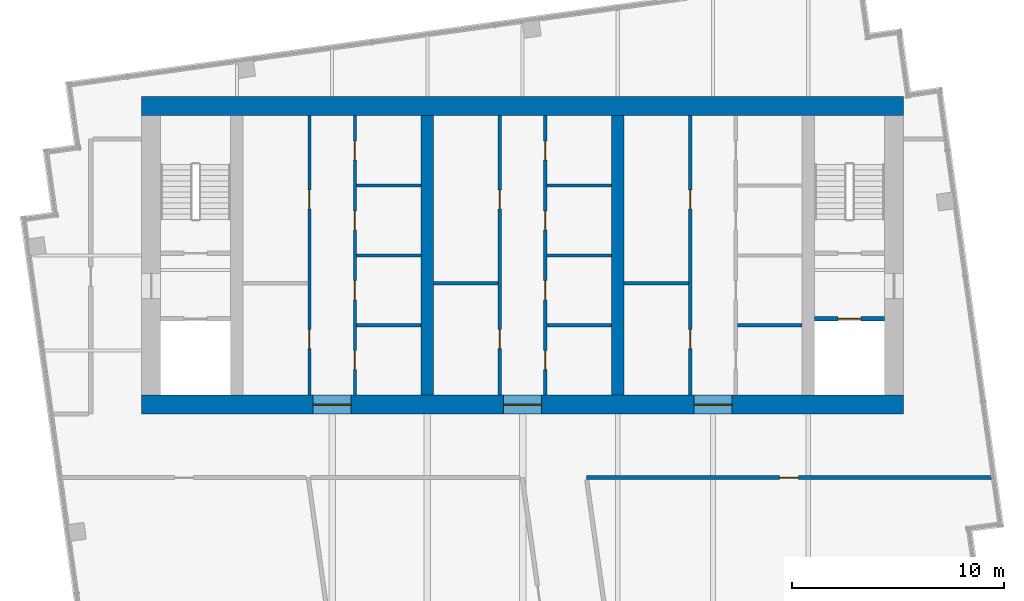
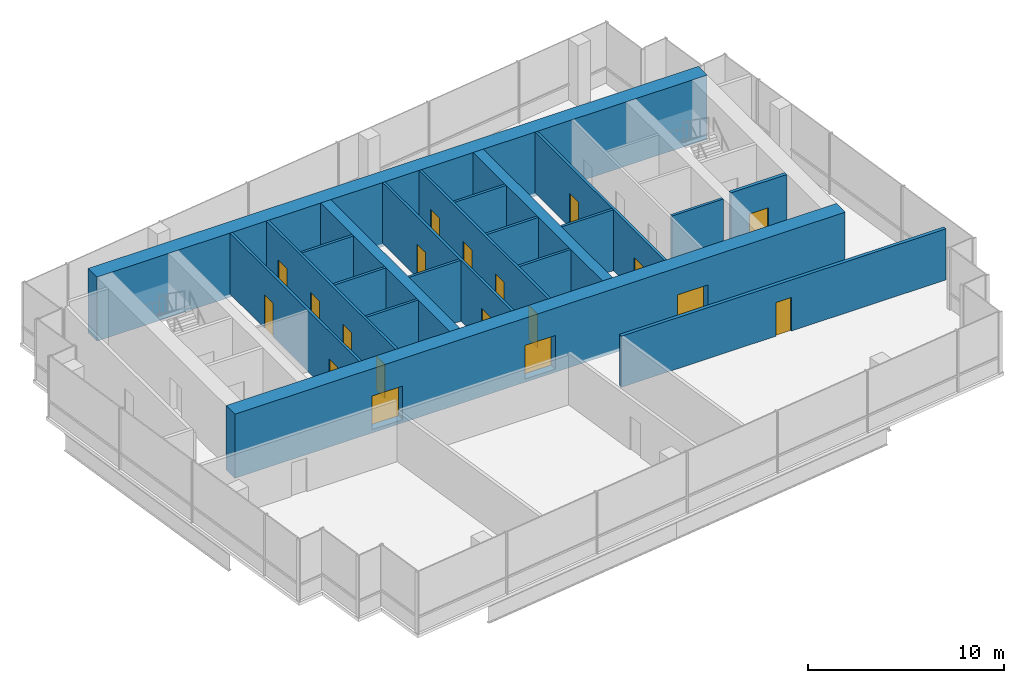
# One storey, part 8 of 10: 20 walls, 19 doors, 19 openings.
"""IFC4 building model written with IfcOpenShell, lengths in metres."""

from ifc_helpers import new_model, si_unit, direction, frame, frame_2d, origin, place, context, subcontext, project, spatial, rectangle, extrude, material, layer, layer_set, type_object, element, fill, save


model = new_model("IFC4")

# Units and contexts
model_context = context("Model", 3, precision=1e-05, world=origin(), true_north=direction((0.0, 1.0)))
body_context = subcontext(model_context, "Body", "Model", "MODEL_VIEW")
ifc_project = project(units=[si_unit("LENGTHUNIT", "METRE"), si_unit("AREAUNIT", "SQUARE_METRE"), si_unit("VOLUMEUNIT", "CUBIC_METRE"), si_unit("PLANEANGLEUNIT", "RADIAN"), si_unit("MASSUNIT", "GRAM", prefix="KILO")], contexts=[model_context])

# Site, building, storey
site_placement = place(None, origin())
site = spatial("IfcSite", under=ifc_project, at=site_placement, CompositionType="ELEMENT")
building_placement = place(site_placement, origin())
building = spatial("IfcBuilding", under=site, at=building_placement, Name="Rattan Terrace Tower", CompositionType="ELEMENT")
storey_placement = place(building_placement, frame((0.0, 0.0, 300.300048828125)))
storey = spatial("IfcBuildingStorey", under=building, at=storey_placement, Name="C03", CompositionType="ELEMENT", Elevation=300.300048828125)

# Wall, openings, doors
ifc_material_1 = material(Name="Gypsum board partition")
ifc_layer_1 = layer(ifc_material_1, 0.14990234375)
ifc_layer_set_1 = layer_set([ifc_layer_1], Name="Core partition 150")
wall_type_1 = type_object("IfcWallType", Name="Core partition 150", PredefinedType="PARTITIONING", material=ifc_layer_set_1)
wall_1_placement = place(storey_placement, frame((-10.074951171875, -6.60009765625, 0.0), z_axis=(0.0, 0.0, 1.0), x_axis=(0.0, 1.0, 0.0)))
wall_1 = element("IfcWall", 1, at=wall_1_placement, inside=storey, type_object=wall_type_1, Name="Core room wall", PredefinedType="PARTITIONING", context=body_context, shape_type="SweptSolid", body=[
    extrude(rectangle(XDim=13.2001953125, YDim=0.14990234375, at=frame_2d((6.60009765625, 0.0))), origin(), (0.0, 0.0, 1.0), 3.800048828125),
])
opening_1_placement = place(wall_1_placement, frame((2.18994140625, 0.0, 0.0)))
opening_1 = element("IfcOpeningElement", 2, at=opening_1_placement, cuts=wall_1, Name="Opening C03-D005", PredefinedType="OPENING", context=body_context, shape_type="SweptSolid", body=[
    extrude(rectangle(XDim=0.89990234375, YDim=2.10009765625, at=frame_2d((0.449951171875, 1.050048828125))), frame((0.0, 0.08544921875, 0.0), z_axis=(0.0, -1.0, 0.0), x_axis=(1.0, 0.0, 0.0)), (0.0, 0.0, 1.0), 0.1708984375),
])
opening_2_placement = place(wall_1_placement, frame((8.7900390625, 0.0, 0.0)))
opening_2 = element("IfcOpeningElement", 3, at=opening_2_placement, cuts=wall_1, Name="Opening C03-D006", PredefinedType="OPENING", context=body_context, shape_type="SweptSolid", body=[
    extrude(rectangle(XDim=0.89990234375, YDim=2.10009765625, at=frame_2d((0.449951171875, 1.050048828125))), frame((0.0, 0.08544921875, 0.0), z_axis=(0.0, -1.0, 0.0), x_axis=(1.0, 0.0, 0.0)), (0.0, 0.0, 1.0), 0.1708984375),
])
ifc_material_2 = material(Name="Hollow-metal fire door leaf")
door_type_1 = type_object("IfcDoorType", Name="Core service room door 900", OperationType="NOTDEFINED", PredefinedType="DOOR", material=ifc_material_2)
door_1_placement = place(opening_1_placement, origin())
door_1 = element("IfcDoor", 4, at=door_1_placement, inside=storey, type_object=door_type_1, Name="Door C03-D005", OperationType="SINGLE_SWING_LEFT", OverallHeight=2.10009765625, OverallWidth=0.89990234375, PredefinedType="DOOR", context=body_context, shape_type="SweptSolid", body=[
    extrude(rectangle(XDim=0.89990234375, YDim=2.10009765625, at=frame_2d((0.449951171875, 1.050048828125))), frame((0.0, 0.02490234375, 0.0), z_axis=(0.0, -1.0, 0.0), x_axis=(1.0, 0.0, 0.0)), (0.0, 0.0, 1.0), 0.050048828125),
])
fill(opening_1, door_1)
door_2_placement = place(opening_2_placement, origin())
door_2 = element("IfcDoor", 5, at=door_2_placement, inside=storey, type_object=door_type_1, Name="Door C03-D006", OperationType="SINGLE_SWING_RIGHT", OverallHeight=2.10009765625, OverallWidth=0.89990234375, PredefinedType="DOOR", context=body_context, shape_type="SweptSolid", body=[
    extrude(rectangle(XDim=0.89990234375, YDim=2.10009765625, at=frame_2d((0.449951171875, 1.050048828125))), frame((0.0, 0.02490234375, 0.0), z_axis=(0.0, -1.0, 0.0), x_axis=(1.0, 0.0, 0.0)), (0.0, 0.0, 1.0), 0.050048828125),
])
fill(opening_2, door_2)

wall_2_placement = place(storey_placement, frame((-7.925048828125, -6.60009765625, 0.0), z_axis=(0.0, 0.0, 1.0), x_axis=(0.0, 1.0, 0.0)))
wall_2 = element("IfcWall", 6, at=wall_2_placement, inside=storey, type_object=wall_type_1, Name="Core room wall", PredefinedType="PARTITIONING", context=body_context, shape_type="SweptSolid", body=[
    extrude(rectangle(XDim=13.2001953125, YDim=0.14990234375, at=frame_2d((6.60009765625, 0.0))), origin(), (0.0, 0.0, 1.0), 3.800048828125),
])
opening_3_placement = place(wall_2_placement, frame((1.199951171875, 0.0, 0.0)))
opening_3 = element("IfcOpeningElement", 7, at=opening_3_placement, cuts=wall_2, Name="Opening C03-D007", PredefinedType="OPENING", context=body_context, shape_type="SweptSolid", body=[
    extrude(rectangle(XDim=0.89990234375, YDim=2.10009765625, at=frame_2d((0.449951171875, 1.050048828125))), frame((0.0, 0.08544921875, 0.0), z_axis=(0.0, -1.0, 0.0), x_axis=(1.0, 0.0, 0.0)), (0.0, 0.0, 1.0), 0.1708984375),
])
opening_4_placement = place(wall_2_placement, frame((4.5, 0.0, 0.0)))
opening_4 = element("IfcOpeningElement", 8, at=opening_4_placement, cuts=wall_2, Name="Opening C03-D008", PredefinedType="OPENING", context=body_context, shape_type="SweptSolid", body=[
    extrude(rectangle(XDim=0.89990234375, YDim=2.10009765625, at=frame_2d((0.449951171875, 1.050048828125))), frame((0.0, 0.08544921875, 0.0), z_axis=(0.0, -1.0, 0.0), x_axis=(1.0, 0.0, 0.0)), (0.0, 0.0, 1.0), 0.1708984375),
])
opening_5_placement = place(wall_2_placement, frame((7.800048828125, 0.0, 0.0)))
opening_5 = element("IfcOpeningElement", 9, at=opening_5_placement, cuts=wall_2, Name="Opening C03-D009", PredefinedType="OPENING", context=body_context, shape_type="SweptSolid", body=[
    extrude(rectangle(XDim=0.89990234375, YDim=2.10009765625, at=frame_2d((0.449951171875, 1.050048828125))), frame((0.0, 0.08544921875, 0.0), z_axis=(0.0, -1.0, 0.0), x_axis=(1.0, 0.0, 0.0)), (0.0, 0.0, 1.0), 0.1708984375),
])
opening_6_placement = place(wall_2_placement, frame((11.10009765625, 0.0, 0.0)))
opening_6 = element("IfcOpeningElement", 10, at=opening_6_placement, cuts=wall_2, Name="Opening C03-D010", PredefinedType="OPENING", context=body_context, shape_type="SweptSolid", body=[
    extrude(rectangle(XDim=0.89990234375, YDim=2.10009765625, at=frame_2d((0.449951171875, 1.050048828125))), frame((0.0, 0.08544921875, 0.0), z_axis=(0.0, -1.0, 0.0), x_axis=(1.0, 0.0, 0.0)), (0.0, 0.0, 1.0), 0.1708984375),
])
door_3_placement = place(opening_3_placement, origin())
door_3 = element("IfcDoor", 11, at=door_3_placement, inside=storey, type_object=door_type_1, Name="Door C03-D007", OperationType="SINGLE_SWING_LEFT", OverallHeight=2.10009765625, OverallWidth=0.89990234375, PredefinedType="DOOR", context=body_context, shape_type="SweptSolid", body=[
    extrude(rectangle(XDim=0.89990234375, YDim=2.10009765625, at=frame_2d((0.449951171875, 1.050048828125))), frame((0.0, 0.02490234375, 0.0), z_axis=(0.0, -1.0, 0.0), x_axis=(1.0, 0.0, 0.0)), (0.0, 0.0, 1.0), 0.050048828125),
])
fill(opening_3, door_3)
door_4_placement = place(opening_4_placement, origin())
door_4 = element("IfcDoor", 12, at=door_4_placement, inside=storey, type_object=door_type_1, Name="Door C03-D008", OperationType="SINGLE_SWING_RIGHT", OverallHeight=2.10009765625, OverallWidth=0.89990234375, PredefinedType="DOOR", context=body_context, shape_type="SweptSolid", body=[
    extrude(rectangle(XDim=0.89990234375, YDim=2.10009765625, at=frame_2d((0.449951171875, 1.050048828125))), frame((0.0, 0.02490234375, 0.0), z_axis=(0.0, -1.0, 0.0), x_axis=(1.0, 0.0, 0.0)), (0.0, 0.0, 1.0), 0.050048828125),
])
fill(opening_4, door_4)
door_5_placement = place(opening_5_placement, origin())
door_5 = element("IfcDoor", 13, at=door_5_placement, inside=storey, type_object=door_type_1, Name="Door C03-D009", OperationType="SINGLE_SWING_LEFT", OverallHeight=2.10009765625, OverallWidth=0.89990234375, PredefinedType="DOOR", context=body_context, shape_type="SweptSolid", body=[
    extrude(rectangle(XDim=0.89990234375, YDim=2.10009765625, at=frame_2d((0.449951171875, 1.050048828125))), frame((0.0, 0.02490234375, 0.0), z_axis=(0.0, -1.0, 0.0), x_axis=(1.0, 0.0, 0.0)), (0.0, 0.0, 1.0), 0.050048828125),
])
fill(opening_5, door_5)
door_6_placement = place(opening_6_placement, origin())
door_6 = element("IfcDoor", 14, at=door_6_placement, inside=storey, type_object=door_type_1, Name="Door C03-D010", OperationType="SINGLE_SWING_RIGHT", OverallHeight=2.10009765625, OverallWidth=0.89990234375, PredefinedType="DOOR", context=body_context, shape_type="SweptSolid", body=[
    extrude(rectangle(XDim=0.89990234375, YDim=2.10009765625, at=frame_2d((0.449951171875, 1.050048828125))), frame((0.0, 0.02490234375, 0.0), z_axis=(0.0, -1.0, 0.0), x_axis=(1.0, 0.0, 0.0)), (0.0, 0.0, 1.0), 0.050048828125),
])
fill(opening_6, door_6)

# Walls
for number, where, z_axis, x_axis, name in (
    (15, (-7.85009765625, -3.300048828125, 0.0), (0.0, 0.0, 1.0), (1.0, 0.0, 0.0), "Core room wall"),
    (16, (-7.85009765625, 0.0, 0.0), (0.0, 0.0, 1.0), (1.0, 0.0, 0.0), "Core room wall"),
    (17, (-7.85009765625, 3.300048828125, 0.0), (0.0, 0.0, 1.0), (1.0, 0.0, 0.0), "Core room wall"),
):
    element("IfcWall", number, at=place(storey_placement, frame(where, z_axis=z_axis, x_axis=x_axis)), inside=storey, type_object=wall_type_1, Name=name, PredefinedType="PARTITIONING", context=body_context, shape_type="SweptSolid", body=[
        extrude(rectangle(XDim=3.050048828125, YDim=0.14990234375, at=frame_2d((1.52490234375, 0.0))), origin(), (0.0, 0.0, 1.0), 3.800048828125),
    ])

# Wall, openings, doors
wall_3_placement = place(storey_placement, frame((-1.074951171875, -6.60009765625, 0.0), z_axis=(0.0, 0.0, 1.0), x_axis=(0.0, 1.0, 0.0)))
wall_3 = element("IfcWall", 18, at=wall_3_placement, inside=storey, type_object=wall_type_1, Name="Core room wall", PredefinedType="PARTITIONING", context=body_context, shape_type="SweptSolid", body=[
    extrude(rectangle(XDim=13.2001953125, YDim=0.14990234375, at=frame_2d((6.60009765625, 0.0))), origin(), (0.0, 0.0, 1.0), 3.800048828125),
])
opening_7_placement = place(wall_3_placement, frame((2.18994140625, 0.0, 0.0)))
opening_7 = element("IfcOpeningElement", 19, at=opening_7_placement, cuts=wall_3, Name="Opening C03-D012", PredefinedType="OPENING", context=body_context, shape_type="SweptSolid", body=[
    extrude(rectangle(XDim=0.89990234375, YDim=2.10009765625, at=frame_2d((0.449951171875, 1.050048828125))), frame((0.0, 0.08544921875, 0.0), z_axis=(0.0, -1.0, 0.0), x_axis=(1.0, 0.0, 0.0)), (0.0, 0.0, 1.0), 0.1708984375),
])
opening_8_placement = place(wall_3_placement, frame((8.7900390625, 0.0, 0.0)))
opening_8 = element("IfcOpeningElement", 20, at=opening_8_placement, cuts=wall_3, Name="Opening C03-D013", PredefinedType="OPENING", context=body_context, shape_type="SweptSolid", body=[
    extrude(rectangle(XDim=0.89990234375, YDim=2.10009765625, at=frame_2d((0.449951171875, 1.050048828125))), frame((0.0, 0.08544921875, 0.0), z_axis=(0.0, -1.0, 0.0), x_axis=(1.0, 0.0, 0.0)), (0.0, 0.0, 1.0), 0.1708984375),
])
door_7_placement = place(opening_7_placement, origin())
door_7 = element("IfcDoor", 21, at=door_7_placement, inside=storey, type_object=door_type_1, Name="Door C03-D012", OperationType="SINGLE_SWING_RIGHT", OverallHeight=2.10009765625, OverallWidth=0.89990234375, PredefinedType="DOOR", context=body_context, shape_type="SweptSolid", body=[
    extrude(rectangle(XDim=0.89990234375, YDim=2.10009765625, at=frame_2d((0.449951171875, 1.050048828125))), frame((0.0, 0.02490234375, 0.0), z_axis=(0.0, -1.0, 0.0), x_axis=(1.0, 0.0, 0.0)), (0.0, 0.0, 1.0), 0.050048828125),
])
fill(opening_7, door_7)
door_8_placement = place(opening_8_placement, origin())
door_8 = element("IfcDoor", 22, at=door_8_placement, inside=storey, type_object=door_type_1, Name="Door C03-D013", OperationType="SINGLE_SWING_LEFT", OverallHeight=2.10009765625, OverallWidth=0.89990234375, PredefinedType="DOOR", context=body_context, shape_type="SweptSolid", body=[
    extrude(rectangle(XDim=0.89990234375, YDim=2.10009765625, at=frame_2d((0.449951171875, 1.050048828125))), frame((0.0, 0.02490234375, 0.0), z_axis=(0.0, -1.0, 0.0), x_axis=(1.0, 0.0, 0.0)), (0.0, 0.0, 1.0), 0.050048828125),
])
fill(opening_8, door_8)

# Wall
wall_4_placement = place(storey_placement, frame((-4.199951171875, -1.320068359375, 0.0), z_axis=(0.0, 0.0, 1.0), x_axis=(1.0, 0.0, 0.0)))
element("IfcWall", 23, at=wall_4_placement, inside=storey, type_object=wall_type_1, Name="Core room wall", PredefinedType="PARTITIONING", context=body_context, shape_type="SweptSolid", body=[
    extrude(rectangle(XDim=3.050048828125, YDim=0.14990234375, at=frame_2d((1.52490234375, 0.0))), origin(), (0.0, 0.0, 1.0), 3.800048828125),
])

# Wall, openings, doors
wall_5_placement = place(storey_placement, frame((1.074951171875, -6.60009765625, 0.0), z_axis=(0.0, 0.0, 1.0), x_axis=(0.0, 1.0, 0.0)))
wall_5 = element("IfcWall", 24, at=wall_5_placement, inside=storey, type_object=wall_type_1, Name="Core room wall", PredefinedType="PARTITIONING", context=body_context, shape_type="SweptSolid", body=[
    extrude(rectangle(XDim=13.2001953125, YDim=0.14990234375, at=frame_2d((6.60009765625, 0.0))), origin(), (0.0, 0.0, 1.0), 3.800048828125),
])
opening_9_placement = place(wall_5_placement, frame((1.199951171875, 0.0, 0.0)))
opening_9 = element("IfcOpeningElement", 25, at=opening_9_placement, cuts=wall_5, Name="Opening C03-D014", PredefinedType="OPENING", context=body_context, shape_type="SweptSolid", body=[
    extrude(rectangle(XDim=0.89990234375, YDim=2.10009765625, at=frame_2d((0.449951171875, 1.050048828125))), frame((0.0, 0.08544921875, 0.0), z_axis=(0.0, -1.0, 0.0), x_axis=(1.0, 0.0, 0.0)), (0.0, 0.0, 1.0), 0.1708984375),
])
opening_10_placement = place(wall_5_placement, frame((4.5, 0.0, 0.0)))
opening_10 = element("IfcOpeningElement", 26, at=opening_10_placement, cuts=wall_5, Name="Opening C03-D015", PredefinedType="OPENING", context=body_context, shape_type="SweptSolid", body=[
    extrude(rectangle(XDim=0.89990234375, YDim=2.10009765625, at=frame_2d((0.449951171875, 1.050048828125))), frame((0.0, 0.08544921875, 0.0), z_axis=(0.0, -1.0, 0.0), x_axis=(1.0, 0.0, 0.0)), (0.0, 0.0, 1.0), 0.1708984375),
])
opening_11_placement = place(wall_5_placement, frame((7.800048828125, 0.0, 0.0)))
opening_11 = element("IfcOpeningElement", 27, at=opening_11_placement, cuts=wall_5, Name="Opening C03-D016", PredefinedType="OPENING", context=body_context, shape_type="SweptSolid", body=[
    extrude(rectangle(XDim=0.89990234375, YDim=2.10009765625, at=frame_2d((0.449951171875, 1.050048828125))), frame((0.0, 0.08544921875, 0.0), z_axis=(0.0, -1.0, 0.0), x_axis=(1.0, 0.0, 0.0)), (0.0, 0.0, 1.0), 0.1708984375),
])
opening_12_placement = place(wall_5_placement, frame((11.10009765625, 0.0, 0.0)))
opening_12 = element("IfcOpeningElement", 28, at=opening_12_placement, cuts=wall_5, Name="Opening C03-D017", PredefinedType="OPENING", context=body_context, shape_type="SweptSolid", body=[
    extrude(rectangle(XDim=0.89990234375, YDim=2.10009765625, at=frame_2d((0.449951171875, 1.050048828125))), frame((0.0, 0.08544921875, 0.0), z_axis=(0.0, -1.0, 0.0), x_axis=(1.0, 0.0, 0.0)), (0.0, 0.0, 1.0), 0.1708984375),
])
door_9_placement = place(opening_9_placement, origin())
door_9 = element("IfcDoor", 29, at=door_9_placement, inside=storey, type_object=door_type_1, Name="Door C03-D014", OperationType="SINGLE_SWING_RIGHT", OverallHeight=2.10009765625, OverallWidth=0.89990234375, PredefinedType="DOOR", context=body_context, shape_type="SweptSolid", body=[
    extrude(rectangle(XDim=0.89990234375, YDim=2.10009765625, at=frame_2d((0.449951171875, 1.050048828125))), frame((0.0, 0.02490234375, 0.0), z_axis=(0.0, -1.0, 0.0), x_axis=(1.0, 0.0, 0.0)), (0.0, 0.0, 1.0), 0.050048828125),
])
fill(opening_9, door_9)
door_10_placement = place(opening_10_placement, origin())
door_10 = element("IfcDoor", 30, at=door_10_placement, inside=storey, type_object=door_type_1, Name="Door C03-D015", OperationType="SINGLE_SWING_LEFT", OverallHeight=2.10009765625, OverallWidth=0.89990234375, PredefinedType="DOOR", context=body_context, shape_type="SweptSolid", body=[
    extrude(rectangle(XDim=0.89990234375, YDim=2.10009765625, at=frame_2d((0.449951171875, 1.050048828125))), frame((0.0, 0.02490234375, 0.0), z_axis=(0.0, -1.0, 0.0), x_axis=(1.0, 0.0, 0.0)), (0.0, 0.0, 1.0), 0.050048828125),
])
fill(opening_10, door_10)
door_11_placement = place(opening_11_placement, origin())
door_11 = element("IfcDoor", 31, at=door_11_placement, inside=storey, type_object=door_type_1, Name="Door C03-D016", OperationType="SINGLE_SWING_RIGHT", OverallHeight=2.10009765625, OverallWidth=0.89990234375, PredefinedType="DOOR", context=body_context, shape_type="SweptSolid", body=[
    extrude(rectangle(XDim=0.89990234375, YDim=2.10009765625, at=frame_2d((0.449951171875, 1.050048828125))), frame((0.0, 0.02490234375, 0.0), z_axis=(0.0, -1.0, 0.0), x_axis=(1.0, 0.0, 0.0)), (0.0, 0.0, 1.0), 0.050048828125),
])
fill(opening_11, door_11)
door_12_placement = place(opening_12_placement, origin())
door_12 = element("IfcDoor", 32, at=door_12_placement, inside=storey, type_object=door_type_1, Name="Door C03-D017", OperationType="SINGLE_SWING_LEFT", OverallHeight=2.10009765625, OverallWidth=0.89990234375, PredefinedType="DOOR", context=body_context, shape_type="SweptSolid", body=[
    extrude(rectangle(XDim=0.89990234375, YDim=2.10009765625, at=frame_2d((0.449951171875, 1.050048828125))), frame((0.0, 0.02490234375, 0.0), z_axis=(0.0, -1.0, 0.0), x_axis=(1.0, 0.0, 0.0)), (0.0, 0.0, 1.0), 0.050048828125),
])
fill(opening_12, door_12)

# Walls
for number, where, z_axis, x_axis, name in (
    (33, (1.14990234375, -3.300048828125, 0.0), (0.0, 0.0, 1.0), (1.0, 0.0, 0.0), "Core room wall"),
    (34, (1.14990234375, 0.0, 0.0), (0.0, 0.0, 1.0), (1.0, 0.0, 0.0), "Core room wall"),
    (35, (1.14990234375, 3.300048828125, 0.0), (0.0, 0.0, 1.0), (1.0, 0.0, 0.0), "Core room wall"),
):
    element("IfcWall", number, at=place(storey_placement, frame(where, z_axis=z_axis, x_axis=x_axis)), inside=storey, type_object=wall_type_1, Name=name, PredefinedType="PARTITIONING", context=body_context, shape_type="SweptSolid", body=[
        extrude(rectangle(XDim=3.050048828125, YDim=0.14990234375, at=frame_2d((1.52490234375, 0.0))), origin(), (0.0, 0.0, 1.0), 3.800048828125),
    ])

# Wall, openings, doors
wall_6_placement = place(storey_placement, frame((7.925048828125, -6.60009765625, 0.0), z_axis=(0.0, 0.0, 1.0), x_axis=(0.0, 1.0, 0.0)))
wall_6 = element("IfcWall", 36, at=wall_6_placement, inside=storey, type_object=wall_type_1, Name="Core room wall", PredefinedType="PARTITIONING", context=body_context, shape_type="SweptSolid", body=[
    extrude(rectangle(XDim=13.2001953125, YDim=0.14990234375, at=frame_2d((6.60009765625, 0.0))), origin(), (0.0, 0.0, 1.0), 3.800048828125),
])
opening_13_placement = place(wall_6_placement, frame((2.18994140625, 0.0, 0.0)))
opening_13 = element("IfcOpeningElement", 37, at=opening_13_placement, cuts=wall_6, Name="Opening C03-D019", PredefinedType="OPENING", context=body_context, shape_type="SweptSolid", body=[
    extrude(rectangle(XDim=0.89990234375, YDim=2.10009765625, at=frame_2d((0.449951171875, 1.050048828125))), frame((0.0, 0.08544921875, 0.0), z_axis=(0.0, -1.0, 0.0), x_axis=(1.0, 0.0, 0.0)), (0.0, 0.0, 1.0), 0.1708984375),
])
opening_14_placement = place(wall_6_placement, frame((8.7900390625, 0.0, 0.0)))
opening_14 = element("IfcOpeningElement", 38, at=opening_14_placement, cuts=wall_6, Name="Opening C03-D020", PredefinedType="OPENING", context=body_context, shape_type="SweptSolid", body=[
    extrude(rectangle(XDim=0.89990234375, YDim=2.10009765625, at=frame_2d((0.449951171875, 1.050048828125))), frame((0.0, 0.08544921875, 0.0), z_axis=(0.0, -1.0, 0.0), x_axis=(1.0, 0.0, 0.0)), (0.0, 0.0, 1.0), 0.1708984375),
])
door_13_placement = place(opening_13_placement, origin())
door_13 = element("IfcDoor", 39, at=door_13_placement, inside=storey, type_object=door_type_1, Name="Door C03-D019", OperationType="SINGLE_SWING_LEFT", OverallHeight=2.10009765625, OverallWidth=0.89990234375, PredefinedType="DOOR", context=body_context, shape_type="SweptSolid", body=[
    extrude(rectangle(XDim=0.89990234375, YDim=2.10009765625, at=frame_2d((0.449951171875, 1.050048828125))), frame((0.0, 0.02490234375, 0.0), z_axis=(0.0, -1.0, 0.0), x_axis=(1.0, 0.0, 0.0)), (0.0, 0.0, 1.0), 0.050048828125),
])
fill(opening_13, door_13)
door_14_placement = place(opening_14_placement, origin())
door_14 = element("IfcDoor", 40, at=door_14_placement, inside=storey, type_object=door_type_1, Name="Door C03-D020", OperationType="SINGLE_SWING_RIGHT", OverallHeight=2.10009765625, OverallWidth=0.89990234375, PredefinedType="DOOR", context=body_context, shape_type="SweptSolid", body=[
    extrude(rectangle(XDim=0.89990234375, YDim=2.10009765625, at=frame_2d((0.449951171875, 1.050048828125))), frame((0.0, 0.02490234375, 0.0), z_axis=(0.0, -1.0, 0.0), x_axis=(1.0, 0.0, 0.0)), (0.0, 0.0, 1.0), 0.050048828125),
])
fill(opening_14, door_14)

# Walls
for number, where, z_axis, x_axis, name in (
    (41, (4.800048828125, -1.320068359375, 0.0), (0.0, 0.0, 1.0), (1.0, 0.0, 0.0), "Core room wall"),
    (42, (10.14990234375, -3.300048828125, 0.0), (0.0, 0.0, 1.0), (1.0, 0.0, 0.0), "Core room wall"),
):
    element("IfcWall", number, at=place(storey_placement, frame(where, z_axis=z_axis, x_axis=x_axis)), inside=storey, type_object=wall_type_1, Name=name, PredefinedType="PARTITIONING", context=body_context, shape_type="SweptSolid", body=[
        extrude(rectangle(XDim=3.050048828125, YDim=0.14990234375, at=frame_2d((1.52490234375, 0.0))), origin(), (0.0, 0.0, 1.0), 3.800048828125),
    ])

# Wall, opening, door
ifc_material_3 = material(Name="Gypsum board partition")
ifc_layer_2 = layer(ifc_material_3, 0.199951171875)
ifc_layer_set_2 = layer_set([ifc_layer_2], Name="Core partition 200")
wall_type_2 = type_object("IfcWallType", Name="Core partition 200", PredefinedType="PARTITIONING", material=ifc_layer_set_2)
wall_7_placement = place(storey_placement, frame((13.800048828125, -3.0, 0.0), z_axis=(0.0, 0.0, 1.0), x_axis=(1.0, 0.0, 0.0)))
wall_7 = element("IfcWall", 43, at=wall_7_placement, inside=storey, type_object=wall_type_2, Name="Fire-fighting lobby wall", PredefinedType="PARTITIONING", context=body_context, shape_type="SweptSolid", body=[
    extrude(rectangle(XDim=3.300048828125, YDim=0.199951171875, at=frame_2d((1.64990234375, 0.0))), origin(), (0.0, 0.0, 1.0), 3.800048828125),
])
opening_15_placement = place(wall_7_placement, frame((1.10009765625, 0.0, 0.0)))
opening_15 = element("IfcOpeningElement", 44, at=opening_15_placement, cuts=wall_7, Name="Opening C03-LD-FF2", PredefinedType="OPENING", context=body_context, shape_type="SweptSolid", body=[
    extrude(rectangle(XDim=1.10009765625, YDim=2.10009765625, at=frame_2d((0.550048828125, 1.050048828125))), frame((0.0, 0.110595703125, 0.0), z_axis=(0.0, -1.0, 0.0), x_axis=(1.0, 0.0, 0.0)), (0.0, 0.0, 1.0), 0.220947265625),
])
ifc_material_4 = material(Name="Brushed stainless landing door panel")
door_type_2 = type_object("IfcDoorType", Name="Core lift landing door 1100", OperationType="DOUBLE_DOOR_SLIDING", PredefinedType="DOOR", material=ifc_material_4)
door_15_placement = place(opening_15_placement, origin())
door_15 = element("IfcDoor", 45, at=door_15_placement, inside=storey, type_object=door_type_2, Name="Door C03-LD-FF2", OperationType="DOUBLE_DOOR_SLIDING", OverallHeight=2.10009765625, OverallWidth=1.10009765625, PredefinedType="DOOR", context=body_context, shape_type="SweptSolid", body=[
    extrude(rectangle(XDim=1.10009765625, YDim=2.10009765625, at=frame_2d((0.550048828125, 1.050048828125))), frame((0.0, 0.02490234375, 0.0), z_axis=(0.0, -1.0, 0.0), x_axis=(1.0, 0.0, 0.0)), (0.0, 0.0, 1.0), 0.050048828125),
])
fill(opening_15, door_15)

# Wall, openings, doors
ifc_material_5 = material(Name="Concrete C50/60", Category="concrete")
ifc_layer_3 = layer(ifc_material_5, 0.89990234375)
ifc_layer_set_3 = layer_set([ifc_layer_3], Name="Core ring wall 900 C50/60")
wall_type_3 = type_object("IfcWallType", Name="Core ring wall 900 C50/60", PredefinedType="SHEAR", material=ifc_layer_set_3)
wall_8_placement = place(storey_placement, frame((-18.0, -7.050048828125, -0.199951171875), z_axis=(0.0, 0.0, 1.0), x_axis=(1.0, 0.0, 0.0)))
wall_8 = element("IfcWall", 46, at=wall_8_placement, inside=storey, type_object=wall_type_3, Name="Rear core wall south", PredefinedType="SHEAR", context=body_context, shape_type="SweptSolid", body=[
    extrude(rectangle(XDim=36.0, YDim=0.89990234375, at=frame_2d((18.0, 0.0))), origin(), (0.0, 0.0, 1.0), 4.0),
])
opening_16_placement = place(wall_8_placement, frame((8.10009765625, 0.0, 0.199951171875)))
opening_16 = element("IfcOpeningElement", 47, at=opening_16_placement, cuts=wall_8, Name="Opening C03-D011", PredefinedType="OPENING", context=body_context, shape_type="SweptSolid", body=[
    extrude(rectangle(XDim=1.800048828125, YDim=2.10009765625, at=frame_2d((0.89990234375, 1.050048828125))), frame((0.0, 0.46044921875, 0.0), z_axis=(0.0, -1.0, 0.0), x_axis=(1.0, 0.0, 0.0)), (0.0, 0.0, 1.0), 0.9208984375),
])
opening_17_placement = place(wall_8_placement, frame((17.10009765625, 0.0, 0.199951171875)))
opening_17 = element("IfcOpeningElement", 48, at=opening_17_placement, cuts=wall_8, Name="Opening C03-D018", PredefinedType="OPENING", context=body_context, shape_type="SweptSolid", body=[
    extrude(rectangle(XDim=1.800048828125, YDim=2.10009765625, at=frame_2d((0.89990234375, 1.050048828125))), frame((0.0, 0.46044921875, 0.0), z_axis=(0.0, -1.0, 0.0), x_axis=(1.0, 0.0, 0.0)), (0.0, 0.0, 1.0), 0.9208984375),
])
opening_18_placement = place(wall_8_placement, frame((26.10009765625, 0.0, 0.199951171875)))
opening_18 = element("IfcOpeningElement", 49, at=opening_18_placement, cuts=wall_8, Name="Opening C03-D025", PredefinedType="OPENING", context=body_context, shape_type="SweptSolid", body=[
    extrude(rectangle(XDim=1.800048828125, YDim=2.10009765625, at=frame_2d((0.89990234375, 1.050048828125))), frame((0.0, 0.46044921875, 0.0), z_axis=(0.0, -1.0, 0.0), x_axis=(1.0, 0.0, 0.0)), (0.0, 0.0, 1.0), 0.9208984375),
])
ifc_material_6 = material(Name="Hollow-metal fire door leaf")
door_type_3 = type_object("IfcDoorType", Name="Core service room door 1800", OperationType="NOTDEFINED", PredefinedType="DOOR", material=ifc_material_6)
door_16_placement = place(opening_16_placement, origin())
door_16 = element("IfcDoor", 50, at=door_16_placement, inside=storey, type_object=door_type_3, Name="Door C03-D011", OperationType="SINGLE_SWING_LEFT", OverallHeight=2.10009765625, OverallWidth=1.800048828125, PredefinedType="DOOR", context=body_context, shape_type="SweptSolid", body=[
    extrude(rectangle(XDim=1.800048828125, YDim=2.10009765625, at=frame_2d((0.89990234375, 1.050048828125))), frame((0.0, 0.02490234375, 0.0), z_axis=(0.0, -1.0, 0.0), x_axis=(1.0, 0.0, 0.0)), (0.0, 0.0, 1.0), 0.050048828125),
])
fill(opening_16, door_16)
door_17_placement = place(opening_17_placement, origin())
door_17 = element("IfcDoor", 51, at=door_17_placement, inside=storey, type_object=door_type_3, Name="Door C03-D018", OperationType="SINGLE_SWING_RIGHT", OverallHeight=2.10009765625, OverallWidth=1.800048828125, PredefinedType="DOOR", context=body_context, shape_type="SweptSolid", body=[
    extrude(rectangle(XDim=1.800048828125, YDim=2.10009765625, at=frame_2d((0.89990234375, 1.050048828125))), frame((0.0, 0.02490234375, 0.0), z_axis=(0.0, -1.0, 0.0), x_axis=(1.0, 0.0, 0.0)), (0.0, 0.0, 1.0), 0.050048828125),
])
fill(opening_17, door_17)
door_18_placement = place(opening_18_placement, origin())
door_18 = element("IfcDoor", 52, at=door_18_placement, inside=storey, type_object=door_type_3, Name="Door C03-D025", OperationType="SINGLE_SWING_LEFT", OverallHeight=2.10009765625, OverallWidth=1.800048828125, PredefinedType="DOOR", context=body_context, shape_type="SweptSolid", body=[
    extrude(rectangle(XDim=1.800048828125, YDim=2.10009765625, at=frame_2d((0.89990234375, 1.050048828125))), frame((0.0, 0.02490234375, 0.0), z_axis=(0.0, -1.0, 0.0), x_axis=(1.0, 0.0, 0.0)), (0.0, 0.0, 1.0), 0.050048828125),
])
fill(opening_18, door_18)

# Walls
wall_9_placement = place(storey_placement, frame((-18.0, 7.050048828125, -0.199951171875), z_axis=(0.0, 0.0, 1.0), x_axis=(1.0, 0.0, 0.0)))
element("IfcWall", 53, at=wall_9_placement, inside=storey, type_object=wall_type_3, Name="Rear core wall north", PredefinedType="SHEAR", context=body_context, shape_type="SweptSolid", body=[
    extrude(rectangle(XDim=36.0, YDim=0.89990234375, at=frame_2d((18.0, 0.0))), origin(), (0.0, 0.0, 1.0), 4.0),
])
ifc_material_7 = material(Name="Concrete C50/60", Category="concrete")
ifc_layer_4 = layer(ifc_material_7, 0.60009765625)
ifc_layer_set_4 = layer_set([ifc_layer_4], Name="Core spine wall 600 C50/60")
wall_type_4 = type_object("IfcWallType", Name="Core spine wall 600 C50/60", PredefinedType="SHEAR", material=ifc_layer_set_4)
for number, where, z_axis, x_axis, name in (
    (54, (-4.5, -6.60009765625, -0.199951171875), (0.0, 0.0, 1.0), (0.0, 1.0, 0.0), "Core spine wall 2"),
    (55, (4.5, -6.60009765625, -0.199951171875), (0.0, 0.0, 1.0), (0.0, 1.0, 0.0), "Core spine wall 3"),
):
    element("IfcWall", number, at=place(storey_placement, frame(where, z_axis=z_axis, x_axis=x_axis)), inside=storey, type_object=wall_type_4, Name=name, PredefinedType="SHEAR", context=body_context, shape_type="SweptSolid", body=[
        extrude(rectangle(XDim=13.2001953125, YDim=0.60009765625, at=frame_2d((6.60009765625, 0.0))), origin(), (0.0, 0.0, 1.0), 4.0),
    ])

# Wall, opening, door
ifc_material_8 = material(Name="Concrete block wall, plastered", Category="concrete")
ifc_layer_5 = layer(ifc_material_8, 0.199951171875)
ifc_layer_set_5 = layer_set([ifc_layer_5], Name="Floors Plant Wall 200")
wall_type_5 = type_object("IfcWallType", Name="Floors Plant Wall 200", PredefinedType="PARTITIONING", material=ifc_layer_set_5)
wall_10_placement = place(storey_placement, frame((22.155029296875, -10.5, 0.0), z_axis=(0.0, 0.0, 1.0), x_axis=(-1.0, 0.0, 0.0)))
wall_10 = element("IfcWall", 56, at=wall_10_placement, inside=storey, type_object=wall_type_5, Name="pt-C03-005", PredefinedType="PARTITIONING", context=body_context, shape_type="SweptSolid", body=[
    extrude(rectangle(XDim=19.14013671875, YDim=0.199951171875, at=frame_2d((9.570068359375, 0.0))), origin(), (0.0, 0.0, 1.0), 3.18994140625),
])
opening_19_placement = place(wall_10_placement, frame((9.1201171875, 0.0, 0.0)))
opening_19 = element("IfcOpeningElement", 57, at=opening_19_placement, cuts=wall_10, Name="Opening C03-D102", PredefinedType="OPENING", context=body_context, shape_type="SweptSolid", body=[
    extrude(rectangle(XDim=0.89990234375, YDim=2.10009765625, at=frame_2d((0.449951171875, 1.050048828125))), frame((0.0, 0.110595703125, 0.0), z_axis=(0.0, -1.0, 0.0), x_axis=(1.0, 0.0, 0.0)), (0.0, 0.0, 1.0), 0.220947265625),
])
ifc_material_9 = material(Name="Steel fire door set", Category="steel")
door_type_4 = type_object("IfcDoorType", Name="Floors Fire Door FD60 900x2100", OperationType="NOTDEFINED", PredefinedType="DOOR", material=ifc_material_9)
door_19_placement = place(opening_19_placement, origin())
door_19 = element("IfcDoor", 58, at=door_19_placement, inside=storey, type_object=door_type_4, Name="d-C03-102", OperationType="SINGLE_SWING_LEFT", OverallHeight=2.10009765625, OverallWidth=0.89990234375, PredefinedType="DOOR", context=body_context, shape_type="SweptSolid", body=[
    extrude(rectangle(XDim=0.89990234375, YDim=2.10009765625, at=frame_2d((0.449951171875, 1.050048828125))), frame((0.0, 0.02490234375, 0.0), z_axis=(0.0, -1.0, 0.0), x_axis=(1.0, 0.0, 0.0)), (0.0, 0.0, 1.0), 0.050048828125),
])
fill(opening_19, door_19)

save(model, "model.ifc")
